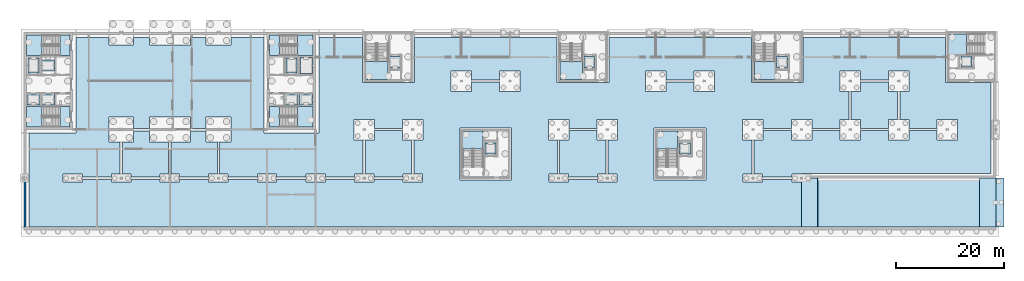
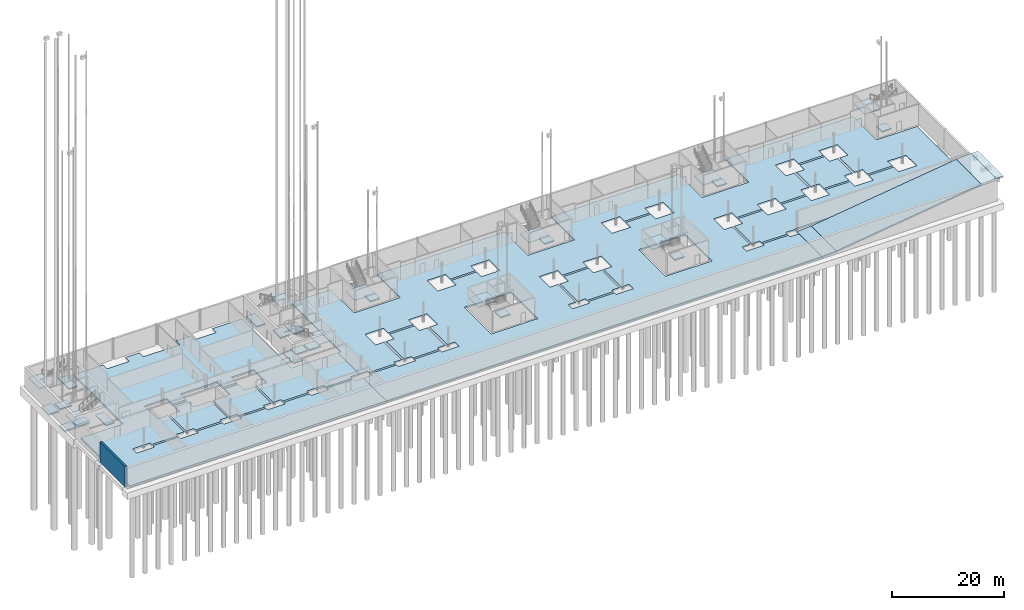
# One storey, part 11 of 41: 39 slabs, 1 wall, 10 elements without a shape of their own.
"""IFC4 building model written with IfcOpenShell, lengths in metres."""

from ifc_helpers import new_model, si_unit, direction, frame, frame_2d, origin, place, context, subcontext, project, spatial, polyline, rectangle, outline, extrude, material, layer, layer_set, type_object, element, aggregate, save


model = new_model("IFC4")

# Units and contexts
model_context = context("Model", 3, precision=1e-05, world=origin(), true_north=direction((0.0, 1.0)))
body_context = subcontext(model_context, "Body", "Model", "MODEL_VIEW")
ifc_project = project(units=[si_unit("LENGTHUNIT", "METRE"), si_unit("AREAUNIT", "SQUARE_METRE"), si_unit("VOLUMEUNIT", "CUBIC_METRE"), si_unit("PLANEANGLEUNIT", "RADIAN"), si_unit("MASSUNIT", "GRAM", prefix="KILO")], contexts=[model_context])

# Site, building, storey
site_placement = place(None, origin())
site = spatial("IfcSite", under=ifc_project, at=site_placement, CompositionType="ELEMENT")
building_placement = place(site_placement, origin())
building = spatial("IfcBuilding", under=site, at=building_placement, Name="Corbel Yard City Hall", CompositionType="ELEMENT")
storey_placement = place(building_placement, frame((0.0, 0.0, -4.5)))
storey = spatial("IfcBuildingStorey", under=building, at=storey_placement, Name="B1", CompositionType="ELEMENT", Elevation=-4.5)

# Slabs
ifc_material = material(Name="Concrete N40 (40 MPa)", Category="concrete")
ifc_layer_1 = layer(ifc_material, 0.300048828125)
ifc_layer_set_1 = layer_set([ifc_layer_1], Name="Concrete N40 (40 MPa)")
slab_type_1 = type_object("IfcSlabType", Name="Basement floor slab 300", PredefinedType="BASESLAB", material=ifc_layer_set_1)
slab_1_placement = place(storey_placement, frame((0.0, 0.0, -0.300048828125)))
element("IfcSlab", 1, at=slab_1_placement, inside=storey, type_object=slab_type_1, Name="Basement floor slab 4", PredefinedType="BASESLAB", context=body_context, shape_type="SweptSolid", body=[
    extrude(outline(polyline([(117.138427734375, 116.10009765625), (117.138427734375, 116.25), (116.861572265625, 116.25), (116.861572265625, 116.10009765625), (108.300048828125, 116.10009765625), (108.300048828125, 107.699951171875), (98.699951171875, 107.699951171875), (98.699951171875, 116.10009765625), (90.138427734375, 116.10009765625), (90.138427734375, 116.25), (89.861572265625, 116.25), (89.861572265625, 116.10009765625), (81.138427734375, 116.10009765625), (81.138427734375, 116.25), (80.861572265625, 116.25), (80.861572265625, 116.10009765625), (72.300048828125, 116.10009765625), (72.300048828125, 107.699951171875), (62.699951171875, 107.699951171875), (62.699951171875, 116.10009765625), (54.60009765625, 116.10009765625), (54.60009765625, 98.39990234375), (54.0, 98.39990234375), (54.0, 90.75), (55.800048828125, 90.75), (55.800048828125, 90.199951171875), (61.199951171875, 90.199951171875), (61.199951171875, 90.75), (62.800048828125, 90.75), (62.800048828125, 97.10009765625), (61.10009765625, 97.10009765625), (61.10009765625, 100.89990234375), (64.89990234375, 100.89990234375), (64.89990234375, 99.199951171875), (70.10009765625, 99.199951171875), (70.10009765625, 100.89990234375), (73.89990234375, 100.89990234375), (73.89990234375, 97.10009765625), (72.199951171875, 97.10009765625), (72.199951171875, 90.75), (73.800048828125, 90.75), (73.800048828125, 89.25), (70.199951171875, 89.25), (70.199951171875, 89.800048828125), (64.800048828125, 89.800048828125), (64.800048828125, 89.25), (61.199951171875, 89.25), (61.199951171875, 89.800048828125), (55.800048828125, 89.800048828125), (55.800048828125, 89.25), (54.0, 89.25), (54.0, 81.0), (144.0, 81.0), (144.0, 89.25), (142.199951171875, 89.25), (142.199951171875, 89.800048828125), (136.800048828125, 89.800048828125), (136.800048828125, 89.25), (133.199951171875, 89.25), (133.199951171875, 90.75), (134.800048828125, 90.75), (134.800048828125, 97.10009765625), (133.10009765625, 97.10009765625), (133.10009765625, 100.89990234375), (136.89990234375, 100.89990234375), (136.89990234375, 99.199951171875), (142.10009765625, 99.199951171875), (142.10009765625, 100.89990234375), (145.89990234375, 100.89990234375), (145.89990234375, 99.199951171875), (151.10009765625, 99.199951171875), (151.10009765625, 100.89990234375), (152.800048828125, 100.89990234375), (152.800048828125, 106.10009765625), (151.10009765625, 106.10009765625), (151.10009765625, 109.89990234375), (154.89990234375, 109.89990234375), (154.89990234375, 108.199951171875), (160.10009765625, 108.199951171875), (160.10009765625, 109.89990234375), (163.89990234375, 109.89990234375), (163.89990234375, 106.10009765625), (162.199951171875, 106.10009765625), (162.199951171875, 100.89990234375), (163.89990234375, 100.89990234375), (163.89990234375, 99.199951171875), (169.10009765625, 99.199951171875), (169.10009765625, 100.89990234375), (172.89990234375, 100.89990234375), (172.89990234375, 97.10009765625), (169.10009765625, 97.10009765625), (169.10009765625, 98.800048828125), (163.89990234375, 98.800048828125), (163.89990234375, 97.10009765625), (160.10009765625, 97.10009765625), (160.10009765625, 98.800048828125), (154.89990234375, 98.800048828125), (154.89990234375, 97.10009765625), (151.10009765625, 97.10009765625), (151.10009765625, 98.800048828125), (145.89990234375, 98.800048828125), (145.89990234375, 97.10009765625), (142.10009765625, 97.10009765625), (142.10009765625, 98.800048828125), (136.89990234375, 98.800048828125), (136.89990234375, 97.10009765625), (135.199951171875, 97.10009765625), (135.199951171875, 90.75), (136.800048828125, 90.75), (136.800048828125, 90.199951171875), (142.199951171875, 90.199951171875), (142.199951171875, 90.75), (144.138427734375, 90.75), (144.138427734375, 90.89990234375), (179.10009765625, 90.89990234375), (179.10009765625, 98.9921875), (179.25, 98.9921875), (179.25, 99.0078125), (179.10009765625, 99.0078125), (179.10009765625, 107.699951171875), (170.699951171875, 107.699951171875), (170.699951171875, 116.10009765625), (162.138427734375, 116.10009765625), (162.138427734375, 116.25), (161.861572265625, 116.25), (161.861572265625, 116.10009765625), (153.138427734375, 116.10009765625), (153.138427734375, 116.25), (152.861572265625, 116.25), (152.861572265625, 116.10009765625), (144.300048828125, 116.10009765625), (144.300048828125, 107.699951171875), (134.699951171875, 107.699951171875), (134.699951171875, 116.10009765625), (126.138427734375, 116.10009765625), (126.138427734375, 116.25), (125.861572265625, 116.25), (125.861572265625, 116.10009765625), (117.138427734375, 116.10009765625)]), holes=[polyline([(88.10009765625, 107.800048828125), (82.89990234375, 107.800048828125), (82.89990234375, 106.10009765625), (79.10009765625, 106.10009765625), (79.10009765625, 109.89990234375), (82.89990234375, 109.89990234375), (82.89990234375, 108.199951171875), (88.10009765625, 108.199951171875), (88.10009765625, 109.89990234375), (91.89990234375, 109.89990234375), (91.89990234375, 106.10009765625), (88.10009765625, 106.10009765625), (88.10009765625, 107.800048828125)]), polyline([(97.10009765625, 100.89990234375), (100.89990234375, 100.89990234375), (100.89990234375, 99.199951171875), (106.10009765625, 99.199951171875), (106.10009765625, 100.89990234375), (109.89990234375, 100.89990234375), (109.89990234375, 97.10009765625), (108.199951171875, 97.10009765625), (108.199951171875, 90.75), (109.800048828125, 90.75), (109.800048828125, 89.25), (106.199951171875, 89.25), (106.199951171875, 89.800048828125), (100.800048828125, 89.800048828125), (100.800048828125, 89.25), (97.199951171875, 89.25), (97.199951171875, 90.75), (98.800048828125, 90.75), (98.800048828125, 97.10009765625), (97.10009765625, 97.10009765625), (97.10009765625, 100.89990234375)]), polyline([(115.10009765625, 109.89990234375), (118.89990234375, 109.89990234375), (118.89990234375, 108.199951171875), (124.10009765625, 108.199951171875), (124.10009765625, 109.89990234375), (127.89990234375, 109.89990234375), (127.89990234375, 106.10009765625), (124.10009765625, 106.10009765625), (124.10009765625, 107.800048828125), (118.89990234375, 107.800048828125), (118.89990234375, 106.10009765625), (115.10009765625, 106.10009765625), (115.10009765625, 109.89990234375)]), polyline([(80.699951171875, 89.699951171875), (80.699951171875, 99.300048828125), (90.300048828125, 99.300048828125), (90.300048828125, 89.699951171875), (80.699951171875, 89.699951171875)]), polyline([(116.699951171875, 99.300048828125), (126.300048828125, 99.300048828125), (126.300048828125, 89.699951171875), (116.699951171875, 89.699951171875), (116.699951171875, 99.300048828125)])]), origin(), (0.0, 0.0, 1.0), 0.300048828125),
])
slab_2_placement = place(storey_placement, frame((0.0, 0.0, -0.300048828125)))
element("IfcSlab", 2, at=slab_2_placement, inside=storey, type_object=slab_type_1, Name="Basement floor slab 5", PredefinedType="BASESLAB", context=body_context, shape_type="SweptSolid", body=[
    extrude(outline(polyline([(63.199951171875, 90.75), (64.800048828125, 90.75), (64.800048828125, 90.199951171875), (70.199951171875, 90.199951171875), (70.199951171875, 90.75), (71.800048828125, 90.75), (71.800048828125, 97.10009765625), (70.10009765625, 97.10009765625), (70.10009765625, 98.800048828125), (64.89990234375, 98.800048828125), (64.89990234375, 97.10009765625), (63.199951171875, 97.10009765625), (63.199951171875, 90.75)])), origin(), (0.0, 0.0, 1.0), 0.300048828125),
])
slab_3_placement = place(storey_placement, frame((0.0, 0.0, -0.300048828125)))
element("IfcSlab", 3, at=slab_3_placement, inside=storey, type_object=slab_type_1, Name="Basement floor slab 6", PredefinedType="BASESLAB", context=body_context, shape_type="SweptSolid", body=[
    extrude(outline(polyline([(107.800048828125, 90.75), (107.800048828125, 97.10009765625), (106.10009765625, 97.10009765625), (106.10009765625, 98.800048828125), (100.89990234375, 98.800048828125), (100.89990234375, 97.10009765625), (99.199951171875, 97.10009765625), (99.199951171875, 90.75), (100.800048828125, 90.75), (100.800048828125, 90.199951171875), (106.199951171875, 90.199951171875), (106.199951171875, 90.75), (107.800048828125, 90.75)])), origin(), (0.0, 0.0, 1.0), 0.300048828125),
])
slab_4_placement = place(storey_placement, frame((0.0, 0.0, -0.300048828125)))
element("IfcSlab", 4, at=slab_4_placement, inside=storey, type_object=slab_type_1, Name="Basement floor slab 7", PredefinedType="BASESLAB", context=body_context, shape_type="SweptSolid", body=[
    extrude(outline(polyline([(160.10009765625, 99.199951171875), (160.10009765625, 100.89990234375), (161.800048828125, 100.89990234375), (161.800048828125, 106.10009765625), (160.10009765625, 106.10009765625), (160.10009765625, 107.800048828125), (154.89990234375, 107.800048828125), (154.89990234375, 106.10009765625), (153.199951171875, 106.10009765625), (153.199951171875, 100.89990234375), (154.89990234375, 100.89990234375), (154.89990234375, 99.199951171875), (160.10009765625, 99.199951171875)])), origin(), (0.0, 0.0, 1.0), 0.300048828125),
])
ifc_layer_2 = layer(ifc_material, 0.39990234375)
ifc_layer_set_2 = layer_set([ifc_layer_2], Name="Concrete N40 (40 MPa)")
slab_type_2 = type_object("IfcSlabType", Name="Basement floor slab 400", PredefinedType="BASESLAB", material=ifc_layer_set_2)
slab_5_placement = place(storey_placement, frame((0.0, 0.0, -0.39990234375)))
element("IfcSlab", 5, at=slab_5_placement, inside=storey, type_object=slab_type_2, Name="Basement floor slab 1", PredefinedType="BASESLAB", context=body_context, shape_type="SweptSolid", body=[
    extrude(outline(polyline([(0.89990234375, 81.0), (54.0, 81.0), (54.0, 89.25), (52.199951171875, 89.25), (52.199951171875, 89.800048828125), (46.800048828125, 89.800048828125), (46.800048828125, 89.25), (43.199951171875, 89.25), (43.199951171875, 89.800048828125), (37.800048828125, 89.800048828125), (37.800048828125, 89.25), (34.199951171875, 89.25), (34.199951171875, 89.800048828125), (28.800048828125, 89.800048828125), (28.800048828125, 89.25), (25.199951171875, 89.25), (25.199951171875, 89.800048828125), (19.800048828125, 89.800048828125), (19.800048828125, 89.25), (16.199951171875, 89.25), (16.199951171875, 89.800048828125), (10.800048828125, 89.800048828125), (10.800048828125, 89.25), (7.199951171875, 89.25), (7.199951171875, 90.75), (10.800048828125, 90.75), (10.800048828125, 90.199951171875), (16.199951171875, 90.199951171875), (16.199951171875, 90.75), (17.800048828125, 90.75), (17.800048828125, 96.699951171875), (15.699951171875, 96.699951171875), (15.699951171875, 101.300048828125), (20.300048828125, 101.300048828125), (20.300048828125, 99.25), (23.199951171875, 99.25), (23.199951171875, 101.300048828125), (30.800048828125, 101.300048828125), (30.800048828125, 99.25), (33.699951171875, 99.25), (33.699951171875, 101.300048828125), (38.300048828125, 101.300048828125), (38.300048828125, 96.699951171875), (36.199951171875, 96.699951171875), (36.199951171875, 90.75), (37.800048828125, 90.75), (37.800048828125, 90.199951171875), (43.199951171875, 90.199951171875), (43.199951171875, 90.75), (46.800048828125, 90.75), (46.800048828125, 90.199951171875), (52.199951171875, 90.199951171875), (52.199951171875, 90.75), (54.0, 90.75), (54.0, 98.39990234375), (44.39990234375, 98.39990234375), (44.39990234375, 116.10009765625), (38.300048828125, 116.10009765625), (38.300048828125, 114.699951171875), (33.699951171875, 114.699951171875), (33.699951171875, 116.10009765625), (30.800048828125, 116.10009765625), (30.800048828125, 114.699951171875), (23.199951171875, 114.699951171875), (23.199951171875, 116.10009765625), (20.300048828125, 116.10009765625), (20.300048828125, 114.699951171875), (15.699951171875, 114.699951171875), (15.699951171875, 116.10009765625), (9.60009765625, 116.10009765625), (9.60009765625, 98.39990234375), (0.89990234375, 98.39990234375), (0.89990234375, 90.0078125), (0.75, 90.0078125), (0.75, 89.9921875), (0.89990234375, 89.9921875), (0.89990234375, 81.0)])), origin(), (0.0, 0.0, 1.0), 0.39990234375),
])
slab_6_placement = place(storey_placement, frame((0.0, 0.0, -0.39990234375)))
element("IfcSlab", 6, at=slab_6_placement, inside=storey, type_object=slab_type_2, Name="Basement floor slab 2", PredefinedType="BASESLAB", context=body_context, shape_type="SweptSolid", body=[
    extrude(outline(polyline([(25.199951171875, 90.199951171875), (25.199951171875, 90.75), (26.800048828125, 90.75), (26.800048828125, 96.699951171875), (23.199951171875, 96.699951171875), (23.199951171875, 98.75), (20.300048828125, 98.75), (20.300048828125, 96.699951171875), (18.199951171875, 96.699951171875), (18.199951171875, 90.75), (19.800048828125, 90.75), (19.800048828125, 90.199951171875), (25.199951171875, 90.199951171875)])), origin(), (0.0, 0.0, 1.0), 0.39990234375),
])
slab_7_placement = place(storey_placement, frame((0.0, 0.0, -0.39990234375)))
element("IfcSlab", 7, at=slab_7_placement, inside=storey, type_object=slab_type_2, Name="Basement floor slab 3", PredefinedType="BASESLAB", context=body_context, shape_type="SweptSolid", body=[
    extrude(outline(polyline([(35.800048828125, 96.699951171875), (33.699951171875, 96.699951171875), (33.699951171875, 98.75), (30.800048828125, 98.75), (30.800048828125, 96.699951171875), (27.199951171875, 96.699951171875), (27.199951171875, 90.75), (28.800048828125, 90.75), (28.800048828125, 90.199951171875), (34.199951171875, 90.199951171875), (34.199951171875, 90.75), (35.800048828125, 90.75), (35.800048828125, 96.699951171875)])), origin(), (0.0, 0.0, 1.0), 0.39990234375),
])

# Stair, slab
stair_type_1 = type_object("IfcStairType", Name="ST31", PredefinedType="HALF_TURN_STAIR", material=ifc_material)
stair_1_placement = place(storey_placement, origin())
stair_1 = element("IfcStair", 8, at=stair_1_placement, inside=storey, type_object=stair_type_1, Name="Exit stair B1", PredefinedType="HALF_TURN_STAIR")
ifc_layer_3 = layer(ifc_material, 0.199951171875)
ifc_layer_set_3 = layer_set([ifc_layer_3], Name="Concrete N40 (40 MPa)")
slab_type_3 = type_object("IfcSlabType", Name="LN1", PredefinedType="LANDING", material=ifc_layer_set_3)
slab_8_placement = place(storey_placement, frame((0.0, 0.0, 2.050048828125)))
slab_8 = element("IfcSlab", 9, at=slab_8_placement, type_object=slab_type_3, Name="PS16 landing 1", PredefinedType="LANDING", context=body_context, shape_type="SweptSolid", body=[
    extrude(outline(polyline([(63.25, 108.25), (67.449951171875, 108.25), (67.449951171875, 111.590087890625), (63.25, 111.590087890625), (63.25, 108.25)])), origin(), (0.0, 0.0, 1.0), 0.199951171875),
])
aggregate(stair_1, [slab_8])

stair_2_placement = place(storey_placement, origin())
stair_2 = element("IfcStair", 10, at=stair_2_placement, inside=storey, type_object=stair_type_1, Name="Exit stair B1", PredefinedType="HALF_TURN_STAIR")
slab_9_placement = place(storey_placement, frame((0.0, 0.0, 2.050048828125)))
slab_9 = element("IfcSlab", 11, at=slab_9_placement, type_object=slab_type_3, Name="PS17 landing 1", PredefinedType="LANDING", context=body_context, shape_type="SweptSolid", body=[
    extrude(outline(polyline([(99.25, 108.25), (103.449951171875, 108.25), (103.449951171875, 111.590087890625), (99.25, 111.590087890625), (99.25, 108.25)])), origin(), (0.0, 0.0, 1.0), 0.199951171875),
])
aggregate(stair_2, [slab_9])

stair_type_2 = type_object("IfcStairType", Name="ST1", PredefinedType="HALF_TURN_STAIR", material=ifc_material)
stair_3_placement = place(storey_placement, origin())
stair_3 = element("IfcStair", 12, at=stair_3_placement, inside=storey, type_object=stair_type_2, Name="Exit stair B1", PredefinedType="HALF_TURN_STAIR")
slab_10_placement = place(storey_placement, frame((0.0, 0.0, 2.050048828125)))
slab_10 = element("IfcSlab", 13, at=slab_10_placement, type_object=slab_type_3, Name="PS18 landing 1", PredefinedType="LANDING", context=body_context, shape_type="SweptSolid", body=[
    extrude(outline(polyline([(135.25, 108.25), (139.050048828125, 108.25), (139.050048828125, 111.590087890625), (135.25, 111.590087890625), (135.25, 108.25)])), origin(), (0.0, 0.0, 1.0), 0.199951171875),
])
aggregate(stair_3, [slab_10])

stair_4_placement = place(storey_placement, origin())
stair_4 = element("IfcStair", 14, at=stair_4_placement, inside=storey, type_object=stair_type_2, Name="Exit stair B1", PredefinedType="HALF_TURN_STAIR")
slab_11_placement = place(storey_placement, frame((0.0, 0.0, 2.050048828125)))
slab_11 = element("IfcSlab", 15, at=slab_11_placement, type_object=slab_type_3, Name="PS19 landing 1", PredefinedType="LANDING", context=body_context, shape_type="SweptSolid", body=[
    extrude(outline(polyline([(171.25, 112.949951171875), (174.590087890625, 112.949951171875), (174.590087890625, 116.75), (171.25, 116.75), (171.25, 112.949951171875)])), origin(), (0.0, 0.0, 1.0), 0.199951171875),
])
aggregate(stair_4, [slab_11])

stair_5_placement = place(storey_placement, origin())
stair_5 = element("IfcStair", 16, at=stair_5_placement, inside=storey, type_object=stair_type_2, Name="Exit stair B1", PredefinedType="HALF_TURN_STAIR")
slab_12_placement = place(storey_placement, frame((0.0, 0.0, 2.050048828125)))
slab_12 = element("IfcSlab", 17, at=slab_12_placement, type_object=slab_type_3, Name="PS20 landing 1", PredefinedType="LANDING", context=body_context, shape_type="SweptSolid", body=[
    extrude(outline(polyline([(81.25, 95.409912109375), (85.050048828125, 95.409912109375), (85.050048828125, 98.75), (81.25, 98.75), (81.25, 95.409912109375)])), origin(), (0.0, 0.0, 1.0), 0.199951171875),
])
aggregate(stair_5, [slab_12])

stair_6_placement = place(storey_placement, origin())
stair_6 = element("IfcStair", 18, at=stair_6_placement, inside=storey, type_object=stair_type_2, Name="Exit stair B1", PredefinedType="HALF_TURN_STAIR")
slab_13_placement = place(storey_placement, frame((0.0, 0.0, 2.050048828125)))
slab_13 = element("IfcSlab", 19, at=slab_13_placement, type_object=slab_type_3, Name="PS21 landing 1", PredefinedType="LANDING", context=body_context, shape_type="SweptSolid", body=[
    extrude(outline(polyline([(117.25, 95.409912109375), (121.050048828125, 95.409912109375), (121.050048828125, 98.75), (117.25, 98.75), (117.25, 95.409912109375)])), origin(), (0.0, 0.0, 1.0), 0.199951171875),
])
aggregate(stair_6, [slab_13])

# Stair, slabs
stair_7_placement = place(storey_placement, origin())
stair_7 = element("IfcStair", 20, at=stair_7_placement, inside=storey, type_object=stair_type_2, Name="Exit stair ST-W1 B1", PredefinedType="HALF_TURN_STAIR")
slab_14_placement = place(storey_placement, frame((0.0, 0.0, -0.199951171875)))
slab_14 = element("IfcSlab", 21, at=slab_14_placement, type_object=slab_type_3, Name="ST-W1 landing 1", PredefinedType="LANDING", context=body_context, shape_type="SweptSolid", body=[
    extrude(outline(polyline([(6.699951171875, 99.5), (8.5, 99.5), (8.5, 103.300048828125), (6.699951171875, 103.300048828125), (6.699951171875, 99.5)])), origin(), (0.0, 0.0, 1.0), 0.199951171875),
])
slab_15_placement = place(storey_placement, frame((0.0, 0.0, 2.050048828125)))
slab_15 = element("IfcSlab", 22, at=slab_15_placement, type_object=slab_type_3, Name="ST-W1 landing 2", PredefinedType="LANDING", context=body_context, shape_type="SweptSolid", body=[
    extrude(outline(polyline([(0.5, 99.5), (3.340087890625, 99.5), (3.340087890625, 103.300048828125), (0.5, 103.300048828125), (0.5, 99.5)])), origin(), (0.0, 0.0, 1.0), 0.199951171875),
])
aggregate(stair_7, [slab_14, slab_15])

stair_8_placement = place(storey_placement, origin())
stair_8 = element("IfcStair", 23, at=stair_8_placement, inside=storey, type_object=stair_type_2, Name="Exit stair ST-W2 B1", PredefinedType="HALF_TURN_STAIR")
slab_16_placement = place(storey_placement, frame((0.0, 0.0, -0.199951171875)))
slab_16 = element("IfcSlab", 24, at=slab_16_placement, type_object=slab_type_3, Name="ST-W2 landing 1", PredefinedType="LANDING", context=body_context, shape_type="SweptSolid", body=[
    extrude(outline(polyline([(6.699951171875, 112.699951171875), (8.5, 112.699951171875), (8.5, 116.5), (6.699951171875, 116.5), (6.699951171875, 112.699951171875)])), origin(), (0.0, 0.0, 1.0), 0.199951171875),
])
slab_17_placement = place(storey_placement, frame((0.0, 0.0, 2.050048828125)))
slab_17 = element("IfcSlab", 25, at=slab_17_placement, type_object=slab_type_3, Name="ST-W2 landing 2", PredefinedType="LANDING", context=body_context, shape_type="SweptSolid", body=[
    extrude(outline(polyline([(0.5, 112.699951171875), (3.340087890625, 112.699951171875), (3.340087890625, 116.5), (0.5, 116.5), (0.5, 112.699951171875)])), origin(), (0.0, 0.0, 1.0), 0.199951171875),
])
aggregate(stair_8, [slab_16, slab_17])

stair_9_placement = place(storey_placement, origin())
stair_9 = element("IfcStair", 26, at=stair_9_placement, inside=storey, type_object=stair_type_2, Name="Exit stair ST-E1 B1", PredefinedType="HALF_TURN_STAIR")
slab_18_placement = place(storey_placement, frame((0.0, 0.0, -0.199951171875)))
slab_18 = element("IfcSlab", 27, at=slab_18_placement, type_object=slab_type_3, Name="ST-E1 landing 1", PredefinedType="LANDING", context=body_context, shape_type="SweptSolid", body=[
    extrude(outline(polyline([(45.5, 99.5), (47.300048828125, 99.5), (47.300048828125, 103.300048828125), (45.5, 103.300048828125), (45.5, 99.5)])), origin(), (0.0, 0.0, 1.0), 0.199951171875),
])
slab_19_placement = place(storey_placement, frame((0.0, 0.0, 2.050048828125)))
slab_19 = element("IfcSlab", 28, at=slab_19_placement, type_object=slab_type_3, Name="ST-E1 landing 2", PredefinedType="LANDING", context=body_context, shape_type="SweptSolid", body=[
    extrude(outline(polyline([(50.659912109375, 99.5), (53.5, 99.5), (53.5, 103.300048828125), (50.659912109375, 103.300048828125), (50.659912109375, 99.5)])), origin(), (0.0, 0.0, 1.0), 0.199951171875),
])
aggregate(stair_9, [slab_18, slab_19])

stair_10_placement = place(storey_placement, origin())
stair_10 = element("IfcStair", 29, at=stair_10_placement, inside=storey, type_object=stair_type_2, Name="Exit stair ST-E2 B1", PredefinedType="HALF_TURN_STAIR")
slab_20_placement = place(storey_placement, frame((0.0, 0.0, -0.199951171875)))
slab_20 = element("IfcSlab", 30, at=slab_20_placement, type_object=slab_type_3, Name="ST-E2 landing 1", PredefinedType="LANDING", context=body_context, shape_type="SweptSolid", body=[
    extrude(outline(polyline([(45.5, 112.699951171875), (47.300048828125, 112.699951171875), (47.300048828125, 116.5), (45.5, 116.5), (45.5, 112.699951171875)])), origin(), (0.0, 0.0, 1.0), 0.199951171875),
])
slab_21_placement = place(storey_placement, frame((0.0, 0.0, 2.050048828125)))
slab_21 = element("IfcSlab", 31, at=slab_21_placement, type_object=slab_type_3, Name="ST-E2 landing 2", PredefinedType="LANDING", context=body_context, shape_type="SweptSolid", body=[
    extrude(outline(polyline([(50.659912109375, 112.699951171875), (53.5, 112.699951171875), (53.5, 116.5), (50.659912109375, 116.5), (50.659912109375, 112.699951171875)])), origin(), (0.0, 0.0, 1.0), 0.199951171875),
])
aggregate(stair_10, [slab_20, slab_21])

# Slabs
ifc_layer_4 = layer(ifc_material, 0.300048828125)
ifc_layer_set_4 = layer_set([ifc_layer_4], Name="Concrete N40 (40 MPa)")
slab_type_4 = type_object("IfcSlabType", Name="Lift pit slab 300", PredefinedType="BASESLAB", material=ifc_layer_set_4)
slab_22_placement = place(storey_placement, frame((0.0, 0.0, -1.199951171875)))
element("IfcSlab", 32, at=slab_22_placement, inside=storey, type_object=slab_type_4, Name="Lift pit slab LP16", PredefinedType="BASESLAB", context=body_context, shape_type="SweptSolid", body=[
    extrude(outline(polyline([(69.699951171875, 110.5), (69.699951171875, 112.5), (67.699951171875, 112.5), (67.699951171875, 110.5), (69.699951171875, 110.5)])), origin(), (0.0, 0.0, 1.0), 0.300048828125),
])
slab_23_placement = place(storey_placement, frame((0.0, 0.0, -1.199951171875)))
element("IfcSlab", 33, at=slab_23_placement, inside=storey, type_object=slab_type_4, Name="Lift pit slab LP17", PredefinedType="BASESLAB", context=body_context, shape_type="SweptSolid", body=[
    extrude(outline(polyline([(105.699951171875, 110.5), (105.699951171875, 112.5), (103.699951171875, 112.5), (103.699951171875, 110.5), (105.699951171875, 110.5)])), origin(), (0.0, 0.0, 1.0), 0.300048828125),
])
slab_24_placement = place(storey_placement, frame((0.0, 0.0, -1.199951171875)))
element("IfcSlab", 34, at=slab_24_placement, inside=storey, type_object=slab_type_4, Name="Lift pit slab LP18", PredefinedType="BASESLAB", context=body_context, shape_type="SweptSolid", body=[
    extrude(outline(polyline([(141.39990234375, 110.5), (141.39990234375, 112.5), (139.39990234375, 112.5), (139.39990234375, 110.5), (141.39990234375, 110.5)])), origin(), (0.0, 0.0, 1.0), 0.300048828125),
])
slab_25_placement = place(storey_placement, frame((0.0, 0.0, -1.199951171875)))
element("IfcSlab", 35, at=slab_25_placement, inside=storey, type_object=slab_type_4, Name="Lift pit slab LP19", PredefinedType="BASESLAB", context=body_context, shape_type="SweptSolid", body=[
    extrude(outline(polyline([(175.5, 110.60009765625), (175.5, 112.60009765625), (173.5, 112.60009765625), (173.5, 110.60009765625), (175.5, 110.60009765625)])), origin(), (0.0, 0.0, 1.0), 0.300048828125),
])
slab_26_placement = place(storey_placement, frame((0.0, 0.0, -1.199951171875)))
element("IfcSlab", 36, at=slab_26_placement, inside=storey, type_object=slab_type_4, Name="Lift pit slab LP20", PredefinedType="BASESLAB", context=body_context, shape_type="SweptSolid", body=[
    extrude(outline(polyline([(87.39990234375, 94.5), (87.39990234375, 96.5), (85.39990234375, 96.5), (85.39990234375, 94.5), (87.39990234375, 94.5)])), origin(), (0.0, 0.0, 1.0), 0.300048828125),
])
slab_27_placement = place(storey_placement, frame((0.0, 0.0, -1.199951171875)))
element("IfcSlab", 37, at=slab_27_placement, inside=storey, type_object=slab_type_4, Name="Lift pit slab LP21", PredefinedType="BASESLAB", context=body_context, shape_type="SweptSolid", body=[
    extrude(outline(polyline([(123.39990234375, 94.5), (123.39990234375, 96.5), (121.39990234375, 96.5), (121.39990234375, 94.5), (123.39990234375, 94.5)])), origin(), (0.0, 0.0, 1.0), 0.300048828125),
])
slab_28_placement = place(storey_placement, frame((0.0, 0.0, -1.800048828125)))
element("IfcSlab", 38, at=slab_28_placement, inside=storey, type_object=slab_type_4, Name="Lift pit slab LP22", PredefinedType="BASESLAB", context=body_context, shape_type="SweptSolid", body=[
    extrude(outline(polyline([(5.64990234375, 103.550048828125), (5.64990234375, 105.550048828125), (3.25, 105.550048828125), (3.25, 103.550048828125), (5.64990234375, 103.550048828125)])), origin(), (0.0, 0.0, 1.0), 0.300048828125),
])
slab_29_placement = place(storey_placement, frame((0.0, 0.0, -1.800048828125)))
element("IfcSlab", 39, at=slab_29_placement, inside=storey, type_object=slab_type_4, Name="Lift pit slab LP23", PredefinedType="BASESLAB", context=body_context, shape_type="SweptSolid", body=[
    extrude(outline(polyline([(2.949951171875, 103.550048828125), (2.949951171875, 105.550048828125), (0.550048828125, 105.550048828125), (0.550048828125, 103.550048828125), (2.949951171875, 103.550048828125)])), origin(), (0.0, 0.0, 1.0), 0.300048828125),
])
slab_30_placement = place(storey_placement, frame((0.0, 0.0, -1.800048828125)))
element("IfcSlab", 40, at=slab_30_placement, inside=storey, type_object=slab_type_4, Name="Lift pit slab LP24", PredefinedType="BASESLAB", context=body_context, shape_type="SweptSolid", body=[
    extrude(outline(polyline([(5.64990234375, 109.85009765625), (5.64990234375, 111.85009765625), (3.25, 111.85009765625), (3.25, 109.85009765625), (5.64990234375, 109.85009765625)])), origin(), (0.0, 0.0, 1.0), 0.300048828125),
])
slab_31_placement = place(storey_placement, frame((0.0, 0.0, -1.800048828125)))
element("IfcSlab", 41, at=slab_31_placement, inside=storey, type_object=slab_type_4, Name="Lift pit slab LF1", PredefinedType="BASESLAB", context=body_context, shape_type="SweptSolid", body=[
    extrude(outline(polyline([(2.75, 109.449951171875), (2.75, 112.25), (0.75, 112.25), (0.75, 109.449951171875), (2.75, 109.449951171875)])), origin(), (0.0, 0.0, 1.0), 0.300048828125),
])
slab_32_placement = place(storey_placement, frame((0.0, 0.0, -1.800048828125)))
element("IfcSlab", 42, at=slab_32_placement, inside=storey, type_object=slab_type_4, Name="Lift pit slab LP25", PredefinedType="BASESLAB", context=body_context, shape_type="SweptSolid", body=[
    extrude(outline(polyline([(50.75, 103.550048828125), (50.75, 105.550048828125), (48.35009765625, 105.550048828125), (48.35009765625, 103.550048828125), (50.75, 103.550048828125)])), origin(), (0.0, 0.0, 1.0), 0.300048828125),
])
slab_33_placement = place(storey_placement, frame((0.0, 0.0, -1.800048828125)))
element("IfcSlab", 43, at=slab_33_placement, inside=storey, type_object=slab_type_4, Name="Lift pit slab LP26", PredefinedType="BASESLAB", context=body_context, shape_type="SweptSolid", body=[
    extrude(outline(polyline([(53.449951171875, 103.550048828125), (53.449951171875, 105.550048828125), (51.050048828125, 105.550048828125), (51.050048828125, 103.550048828125), (53.449951171875, 103.550048828125)])), origin(), (0.0, 0.0, 1.0), 0.300048828125),
])
slab_34_placement = place(storey_placement, frame((0.0, 0.0, -1.800048828125)))
element("IfcSlab", 44, at=slab_34_placement, inside=storey, type_object=slab_type_4, Name="Lift pit slab LF2", PredefinedType="BASESLAB", context=body_context, shape_type="SweptSolid", body=[
    extrude(outline(polyline([(50.550048828125, 109.449951171875), (50.550048828125, 112.25), (48.550048828125, 112.25), (48.550048828125, 109.449951171875), (50.550048828125, 109.449951171875)])), origin(), (0.0, 0.0, 1.0), 0.300048828125),
])
slab_35_placement = place(storey_placement, frame((0.0, 0.0, -1.800048828125)))
element("IfcSlab", 45, at=slab_35_placement, inside=storey, type_object=slab_type_4, Name="Lift pit slab LG1", PredefinedType="BASESLAB", context=body_context, shape_type="SweptSolid", body=[
    extrude(outline(polyline([(53.39990234375, 109.300048828125), (53.39990234375, 112.39990234375), (51.10009765625, 112.39990234375), (51.10009765625, 109.300048828125), (53.39990234375, 109.300048828125)])), origin(), (0.0, 0.0, 1.0), 0.300048828125),
])
ifc_layer_5 = layer(ifc_material, 0.300048828125)
ifc_layer_set_5 = layer_set([ifc_layer_5], Name="Concrete N40 (40 MPa)")
slab_type_5 = type_object("IfcSlabType", Name="Ramp Landing Slab", PredefinedType="LANDING", material=ifc_layer_set_5)
slab_36_placement = place(storey_placement, frame((0.0, 0.0, 4.199951171875)))
element("IfcSlab", 46, at=slab_36_placement, inside=storey, type_object=slab_type_5, Name="Car ramp landing", PredefinedType="LANDING", context=body_context, shape_type="SweptSolid", body=[
    extrude(outline(polyline([(180.02099609375, 81.0), (181.5, 81.0), (181.5, 90.0), (180.02099609375, 90.0), (180.02099609375, 81.0)])), origin(), (0.0, 0.0, 1.0), 0.300048828125),
])
ifc_layer_6 = layer(ifc_material, 0.300048828125)
ifc_layer_set_6 = layer_set([ifc_layer_6], Name="Concrete N40 (40 MPa)")
slab_type_6 = type_object("IfcSlabType", Name="Vehicle Ramp Slab", PredefinedType="LANDING", material=ifc_layer_set_6)
slab_37_placement = place(storey_placement, frame((144.0, 81.0, 0.0), z_axis=(-0.071270124602, 0.0, 0.997457051376), x_axis=(0.997457051376, 0.0, 0.071270124602)))
element("IfcSlab", 47, at=slab_37_placement, inside=storey, type_object=slab_type_6, Name="Car ramp lower transition", PredefinedType="LANDING", context=body_context, shape_type="SweptSolid", body=[
    extrude(outline(polyline([(0.0, 0.0), (3.0076482950941976, 0.0), (3.0076482950941976, 9.0), (0.0, 9.0), (0.0, 0.0)])), origin(), (0.0, 0.0, -1.0), 0.300048828125),
])
slab_38_placement = place(storey_placement, frame((147.0, 81.0, 0.21435546875), z_axis=(-0.134476947122, 0.0, 0.99091672238), x_axis=(0.99091672238, 0.0, 0.134476947122)))
element("IfcSlab", 48, at=slab_38_placement, inside=storey, type_object=slab_type_6, Name="Car ramp main run", PredefinedType="LANDING", context=body_context, shape_type="SweptSolid", body=[
    extrude(outline(polyline([(0.0, 0.0), (30.27499619538262, 0.0), (30.27499619538262, 9.0), (0.0, 9.0), (0.0, 0.0)])), origin(), (0.0, 0.0, -1.0), 0.300048828125),
])
slab_39_placement = place(storey_placement, frame((177.0, 81.0, 4.28564453125), z_axis=(-0.071270124602, 0.0, 0.997457051376), x_axis=(0.997457051376, 0.0, 0.071270124602)))
element("IfcSlab", 49, at=slab_39_placement, inside=storey, type_object=slab_type_6, Name="Car ramp upper transition", PredefinedType="LANDING", context=body_context, shape_type="SweptSolid", body=[
    extrude(outline(polyline([(0.0, 0.0), (3.0076482950941976, 0.0), (3.0076482950941976, 9.0), (0.0, 9.0), (0.0, 0.0)])), origin(), (0.0, 0.0, -1.0), 0.300048828125),
])

# Wall
ifc_layer_7 = layer(ifc_material, 0.39990234375)
ifc_layer_set_7 = layer_set([ifc_layer_7], Name="Concrete N40 (40 MPa)")
wall_type = type_object("IfcWallType", Name="Retaining wall 400", PredefinedType="SOLIDWALL", material=ifc_layer_set_7)
wall_placement = place(storey_placement, frame((0.199951171875, 81.0, 0.0), z_axis=(0.0, 0.0, 1.0), x_axis=(0.0, 1.0, 0.0)))
element("IfcWall", 50, at=wall_placement, inside=storey, type_object=wall_type, Name="Retaining wall RET-W-1", PredefinedType="SOLIDWALL", context=body_context, shape_type="SweptSolid", body=[
    extrude(rectangle(XDim=8.9921875, YDim=0.39990234375, at=frame_2d((4.49609375, 0.0))), origin(), (0.0, 0.0, 1.0), 4.5),
])

save(model, "model.ifc")
